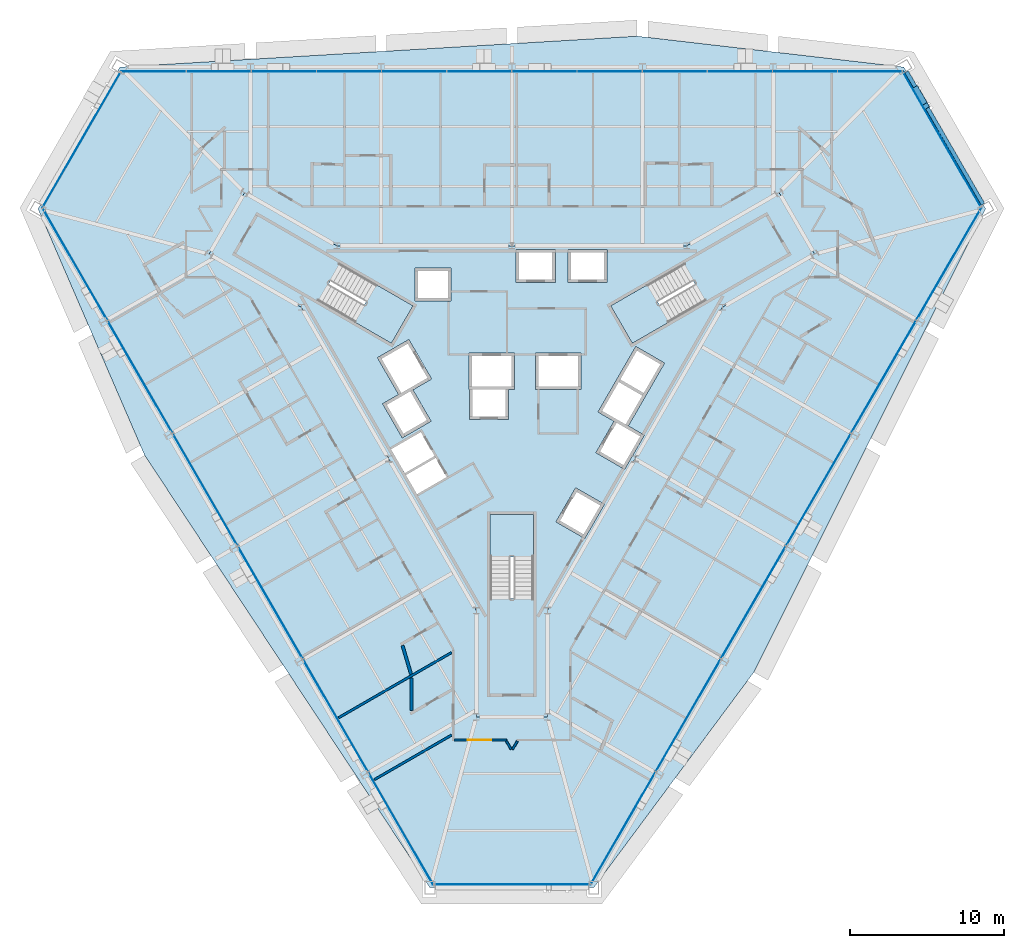
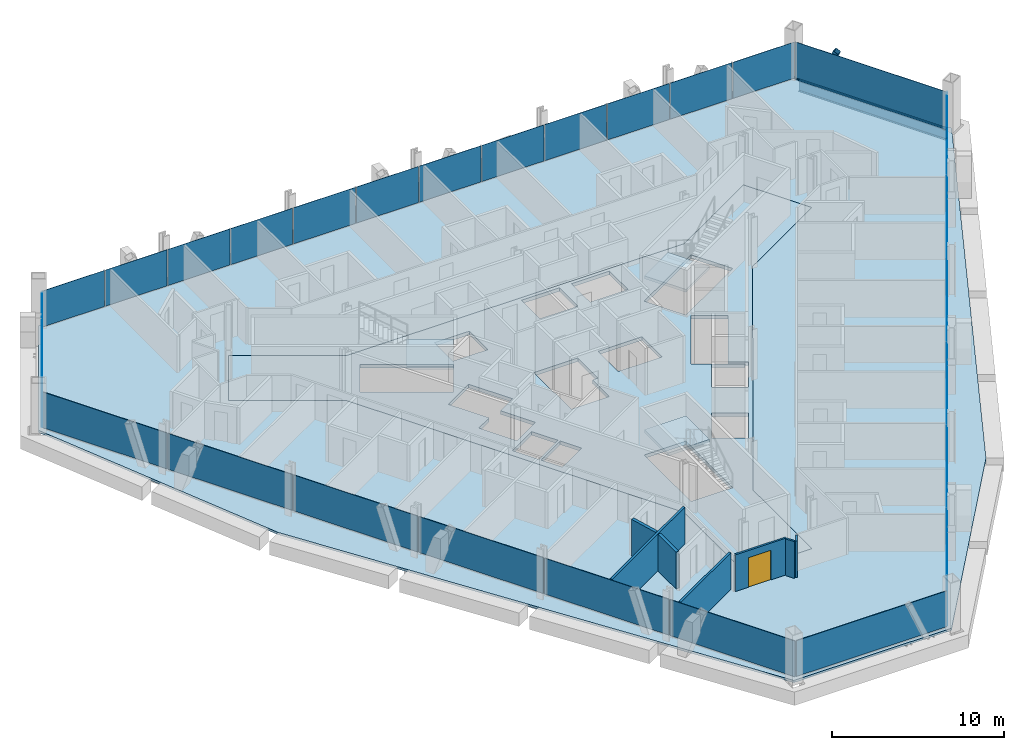
# One storey, part 9 of 17: 27 plates, 7 walls, 5 slabs, 2 members, 1 beam, 1 door, 1 opening, 9 elements without a shape of their own.
"""IFC4 building model written with IfcOpenShell, lengths in metres."""

import ifcopenshell
import ifcopenshell.guid

model = None  # the IFC model being written
_history = None  # IfcOwnerHistory: only IFC2X3 demands one
_inside = {}  # id of a spatial element -> (the spatial element, [elements in it])
_under = {}  # id of a project, library or spatial element -> (it, [spatial elements below it])
_declared = {}  # id of a project -> (the project, [libraries it declares])
_typed = {}  # id of a type object -> (the type object, [elements of that type])
_made_of = {}  # id of a material, layer set ... -> (it, [elements and type objects made of it])


def new_model(schema):
    """Start an empty IFC model of exactly this schema.

    Asked for "IFC4X3", IfcOpenShell would pick the latest addendum, in which some entities
    have other attributes; the version numbers below select the first issue.
    IFC2X3 requires an IfcOwnerHistory on every rooted entity: one is made here for all.
    """
    global model, _history
    if schema == "IFC4X3":
        model = ifcopenshell.file(schema_version=(4, 3, 0, 0))
    else:
        model = ifcopenshell.file(schema=schema)
    _inside.clear()
    _under.clear()
    _declared.clear()
    _typed.clear()
    _made_of.clear()
    _history = None
    if model.schema == "IFC2X3":
        org = make("IfcOrganization", Name="unknown")
        user = make(
            "IfcPersonAndOrganization",
            ThePerson=make("IfcPerson", FamilyName="unknown"),
            TheOrganization=org,
        )
        app = make(
            "IfcApplication",
            ApplicationDeveloper=org,
            Version="unknown",
            ApplicationFullName="unknown",
            ApplicationIdentifier="unknown",
        )
        _history = make(
            "IfcOwnerHistory",
            OwningUser=user,
            OwningApplication=app,
            ChangeAction="ADDED",
            CreationDate=0,
        )
    return model


def make(cls, **values):
    """One entity of the class cls with the attributes given. An attribute that is None is left unset."""
    return model.create_entity(
        cls, **{name: value for name, value in values.items() if value is not None}
    )


def rooted(cls, **values):
    """An entity with a GlobalId (a new one), such as an element, a storey or a relation."""
    return make(cls, GlobalId=ifcopenshell.guid.new(), OwnerHistory=_history, **values)


def si_unit(unit_type, name, prefix=None):
    """IfcSIUnit, for example si_unit("LENGTHUNIT", "METRE", prefix="MILLI")."""
    return make("IfcSIUnit", UnitType=unit_type, Prefix=prefix, Name=name)


def assignment(units):
    """IfcUnitAssignment: the units of a project."""
    return None if units is None else make("IfcUnitAssignment", Units=units)


def point(xyz):
    """IfcCartesianPoint."""
    return None if xyz is None else make("IfcCartesianPoint", Coordinates=xyz)


def direction(xyz):
    """IfcDirection."""
    return None if xyz is None else make("IfcDirection", DirectionRatios=xyz)


def frame(location, z_axis=None, x_axis=None):
    """IfcAxis2Placement3D, a coordinate frame: its origin and axes. An axis left out is left unset."""
    return make(
        "IfcAxis2Placement3D",
        Location=point(location),
        Axis=direction(z_axis),
        RefDirection=direction(x_axis),
    )


def frame_2d(location, x_axis=None):
    """IfcAxis2Placement2D, a coordinate frame in the plane: its origin and x axis."""
    return make(
        "IfcAxis2Placement2D", Location=point(location), RefDirection=direction(x_axis)
    )


def origin():
    """The frame at (0, 0, 0) with its axes left unset."""
    return frame((0.0, 0.0, 0.0))


def origin_2d():
    """The frame at (0, 0) in the plane with its x axis left unset."""
    return frame_2d((0.0, 0.0))


def place(relative_to, where):
    """IfcLocalPlacement: puts the frame where relative to a parent placement (None: the world)."""
    return make(
        "IfcLocalPlacement", PlacementRelTo=relative_to, RelativePlacement=where
    )


def context(
    kind, dimensions, precision=None, world=None, true_north=None, identifier=None
):
    """IfcGeometricRepresentationContext, for example the 3D "Model" context."""
    return make(
        "IfcGeometricRepresentationContext",
        ContextIdentifier=identifier,
        ContextType=kind,
        CoordinateSpaceDimension=dimensions,
        Precision=precision,
        WorldCoordinateSystem=world,
        TrueNorth=true_north,
    )


def subcontext(parent, identifier, kind, view, scale=None):
    """IfcGeometricRepresentationSubContext, for example "Body" below "Model"."""
    return make(
        "IfcGeometricRepresentationSubContext",
        ContextIdentifier=identifier,
        ContextType=kind,
        ParentContext=parent,
        TargetScale=scale,
        TargetView=view,
    )


def project(units=None, contexts=None):
    """IfcProject with its units and contexts."""
    return rooted(
        "IfcProject",
        Name="project",
        RepresentationContexts=contexts,
        UnitsInContext=assignment(units),
    )


def spatial(cls, under=None, at=None, **own):
    """A site, building, storey or space (cls), placed at a placement, below another one or the project."""
    s = rooted(cls, ObjectPlacement=at, **own)
    if under is not None:
        _under.setdefault(under.id(), (under, []))[1].append(s)
    return s


def polyline(points):
    """IfcPolyline through the points."""
    return make("IfcPolyline", Points=[point(p) for p in points])


def profile(cls, at=None, kind="AREA", **sizes):
    """A parametric profile (cls). Its sizes go by their IFC names, for example OverallWidth=200.0."""
    return make(cls, ProfileType=kind, Position=at, **sizes)


def rectangle(**sizes):
    """IfcRectangleProfileDef."""
    return profile("IfcRectangleProfileDef", **sizes)


def hollow_rectangle(**sizes):
    """IfcRectangleHollowProfileDef."""
    return profile("IfcRectangleHollowProfileDef", **sizes)


def i_section(**sizes):
    """IfcIShapeProfileDef."""
    return profile("IfcIShapeProfileDef", **sizes)


def outline(outer, holes=None, kind="AREA"):
    """IfcArbitraryClosedProfileDef: a profile drawn as a closed curve; with holes, ...WithVoids."""
    if holes is None:
        return make("IfcArbitraryClosedProfileDef", ProfileType=kind, OuterCurve=outer)
    return make(
        "IfcArbitraryProfileDefWithVoids",
        ProfileType=kind,
        OuterCurve=outer,
        InnerCurves=holes,
    )


def extrude(swept, where, along, depth):
    """IfcExtrudedAreaSolid: the profile swept, set in the frame where, extruded along a direction by depth."""
    return make(
        "IfcExtrudedAreaSolid",
        SweptArea=swept,
        Position=where,
        ExtrudedDirection=direction(along),
        Depth=depth,
    )


def shape(context_of_items, identifier, shape_type, items):
    """IfcShapeRepresentation: the items that make up one representation, for example the "Body"."""
    return make(
        "IfcShapeRepresentation",
        ContextOfItems=context_of_items,
        RepresentationIdentifier=identifier,
        RepresentationType=shape_type,
        Items=items,
    )


def material(Name=None, Category=None):
    """IfcMaterial."""
    return make("IfcMaterial", Name=Name, Category=Category)


def layer(
    of_material, thickness, ventilated=None, Name=None, Category=None, Priority=None
):
    """IfcMaterialLayer: one layer of a wall or slab, of a material (None: an air gap)."""
    return make(
        "IfcMaterialLayer",
        Material=of_material,
        LayerThickness=thickness,
        IsVentilated=ventilated,
        Name=Name,
        Category=Category,
        Priority=Priority,
    )


def layer_set(layers, Name=None):
    """IfcMaterialLayerSet."""
    return make("IfcMaterialLayerSet", MaterialLayers=layers, LayerSetName=Name)


def material_profile(
    of_material, cross_section, Name=None, Category=None, Priority=None
):
    """IfcMaterialProfile: a cross section and its material."""
    return make(
        "IfcMaterialProfile",
        Name=Name,
        Material=of_material,
        Profile=cross_section,
        Priority=Priority,
        Category=Category,
    )


def profile_set(profiles, Name=None, composite=None):
    """IfcMaterialProfileSet."""
    return make(
        "IfcMaterialProfileSet",
        Name=Name,
        MaterialProfiles=profiles,
        CompositeProfile=composite,
    )


def made_of(thing, what):
    """Note that an element or type object is made of a material, layer set ...; save() writes the relation."""
    if what is not None:
        _made_of.setdefault(what.id(), (what, []))[1].append(thing)
    return thing


def type_object(cls, material=None, **own):
    """A type object (cls), such as IfcWallType, which elements share."""
    return made_of(rooted(cls, **own), material)


def element(
    cls,
    number,
    at=None,
    inside=None,
    cuts=None,
    type_object=None,
    material=None,
    context=None,
    identifier="Body",
    shape_type=None,
    held_by="IfcProductDefinitionShape",
    body=None,
    shapes=None,
    **own,
):
    """One element of the class cls, such as IfcWall. Its Tag is "e" and its number.

    at: its placement. inside: the storey or other place that contains it. cuts: it is an
    opening in that element (IfcRelVoidsElement). A single representation is given by context,
    identifier, shape_type and body (its items); several are given by shapes. held_by: the class
    of the entity that holds the representations. save() writes the other relations.
    """
    e = rooted(cls, Tag="e%d" % number, ObjectPlacement=at, **own)
    if body is not None:
        shapes = [shape(context, identifier, shape_type, body)]
    if shapes is not None:
        e.Representation = make(held_by, Representations=shapes)
    if inside is not None:
        _inside.setdefault(inside.id(), (inside, []))[1].append(e)
    if cuts is not None:
        rooted(
            "IfcRelVoidsElement", RelatingBuildingElement=cuts, RelatedOpeningElement=e
        )
    if type_object is not None:
        _typed.setdefault(type_object.id(), (type_object, []))[1].append(e)
    return made_of(e, material)


def fill(opening, filler):
    """IfcRelFillsElement: the door or window that sits in an opening."""
    return rooted(
        "IfcRelFillsElement",
        RelatingOpeningElement=opening,
        RelatedBuildingElement=filler,
    )


def aggregate(whole, parts):
    """IfcRelAggregates: a whole, such as a stair, and the parts it consists of."""
    return rooted("IfcRelAggregates", RelatingObject=whole, RelatedObjects=parts)


def save(model, path):
    """Write the relations noted so far, then the file.

    IfcRelAggregates (storeys below a building ...), IfcRelContainedInSpatialStructure (elements
    in a storey), IfcRelDefinesByType, IfcRelAssociatesMaterial and IfcRelDeclares: one each for
    every whole, place, type object, material and project.
    """
    for whole, parts in _under.values():
        aggregate(whole, parts)
    for where, things in _inside.values():
        rooted(
            "IfcRelContainedInSpatialStructure",
            RelatedElements=things,
            RelatingStructure=where,
        )
    for kind, things in _typed.values():
        rooted("IfcRelDefinesByType", RelatedObjects=things, RelatingType=kind)
    for what, things in _made_of.values():
        rooted("IfcRelAssociatesMaterial", RelatedObjects=things, RelatingMaterial=what)
    for by, libraries in _declared.values():
        rooted("IfcRelDeclares", RelatingContext=by, RelatedDefinitions=libraries)
    model.write(path)


model = new_model("IFC4")

# Units and contexts
model_context = context("Model", 3, precision=1e-05, world=origin(), true_north=direction((0.0, 1.0)))
body_context = subcontext(model_context, "Body", "Model", "MODEL_VIEW")
ifc_project = project(units=[si_unit("LENGTHUNIT", "METRE"), si_unit("AREAUNIT", "SQUARE_METRE"), si_unit("VOLUMEUNIT", "CUBIC_METRE"), si_unit("PLANEANGLEUNIT", "RADIAN"), si_unit("MASSUNIT", "GRAM", prefix="KILO")], contexts=[model_context])

# Site, building, storey
site_placement = place(None, origin())
site = spatial("IfcSite", under=ifc_project, at=site_placement, CompositionType="ELEMENT")
building_placement = place(site_placement, origin())
building = spatial("IfcBuilding", under=site, at=building_placement, Name="Verrane Prism Tower", CompositionType="ELEMENT")
storey_placement = place(building_placement, frame((0.0, 0.0, 40.39990234375)))
storey = spatial("IfcBuildingStorey", under=building, at=storey_placement, Name="L07", CompositionType="ELEMENT", Elevation=40.39990234375)

# Member
ifc_material_1 = material(Name="Steel A500 Grade C", Category="steel")
ifc_material_profile_1 = material_profile(ifc_material_1, hollow_rectangle(XDim=0.355712890625, YDim=0.355712890625, WallThickness=0.0126953125, InnerFilletRadius=0.00634765625, OuterFilletRadius=0.01904296875, at=origin_2d()), Name="HSS14x14x1/2")
ifc_profile_set_1 = profile_set([ifc_material_profile_1], Name="Steel A500 Grade C")
member_type_1 = type_object("IfcMemberType", Name="Chamfer brace HSS14x14x1/2", PredefinedType="BRACE", material=ifc_profile_set_1)
member_1_placement = place(storey_placement, frame((26.18994140625, 19.349853515625, -0.2451171875), z_axis=(0.193856733958, -0.335783542661, 0.921774907001), x_axis=(0.866034321076, 0.49998455448, 0.0)))
element("IfcMember", 1, at=member_1_placement, inside=storey, type_object=member_type_1, Name="Chamfer brace NE0 L07", PredefinedType="BRACE", context=body_context, shape_type="SweptSolid", body=[
    extrude(hollow_rectangle(XDim=0.355712890625, YDim=0.355712890625, WallThickness=0.0126953125, InnerFilletRadius=0.00634765625, OuterFilletRadius=0.01904296875, at=origin_2d()), origin(), (0.0, 0.0, 1.0), 3.258056640625),
])

# Beam
ifc_material_2 = material(Name="Steel A992", Category="steel")
ifc_material_profile_2 = material_profile(ifc_material_2, i_section(OverallWidth=0.2666015625, OverallDepth=0.76708984375, WebThickness=0.014892578125, FlangeThickness=0.023681640625, FilletRadius=0.0166015625, at=origin_2d()), Name="W30x124")
ifc_profile_set_2 = profile_set([ifc_material_profile_2], Name="Steel A992")
beam_type = type_object("IfcBeamType", Name="Chamfer spandrel beam W30x124", PredefinedType="SPANDREL", material=ifc_profile_set_2)
beam_placement = place(storey_placement, frame((30.4951171875, 11.89306640625, -0.54345703125), z_axis=(-0.500011342071, 0.866018855338, 0.0), x_axis=(-0.866018855338, -0.500011342071, 0.0)))
element("IfcBeam", 2, at=beam_placement, inside=storey, type_object=beam_type, Name="Chamfer spandrel beam L07", PredefinedType="SPANDREL", context=body_context, shape_type="SweptSolid", body=[
    extrude(i_section(OverallWidth=0.2666015625, OverallDepth=0.76708984375, WebThickness=0.014892578125, FlangeThickness=0.023681640625, FilletRadius=0.0166015625, at=origin_2d()), origin(), (0.0, 0.0, 1.0), 9.900146484375),
])

# Curtain wall, member
ifc_material_3 = material(Name="Aluminium framed insulated glazing", Category="aluminium")
curtain_wall_type_1 = type_object("IfcCurtainWallType", Name="Curtain wall CW-A 8400 module", PredefinedType="NOTDEFINED", material=ifc_material_3)
curtain_wall_1_placement = place(storey_placement, origin())
curtain_wall_1 = element("IfcCurtainWall", 3, at=curtain_wall_1_placement, inside=storey, type_object=curtain_wall_type_1, Name="Glazed curtain wall north-east corner L07", PredefinedType="NOTDEFINED")
ifc_material_4 = material(Name="Aluminium alloy 6063-T6", Category="aluminium")
ifc_material_profile_3 = material_profile(ifc_material_4, rectangle(XDim=0.14990234375, YDim=0.070068359375, at=origin_2d()), Name="Transom 70x150 aluminium")
ifc_profile_set_3 = profile_set([ifc_material_profile_3], Name="Aluminium alloy 6063-T6")
member_type_2 = type_object("IfcMemberType", Name="Transom 70x150 aluminium", PredefinedType="USERDEFINED", material=ifc_profile_set_3)
member_2_placement = place(storey_placement, frame((30.361572265625, 11.726806640625, 0.03515625), z_axis=(-0.500005066806, 0.866022478443, 0.0), x_axis=(-0.866022478443, -0.500005066806, 0.0)))
member_2 = element("IfcMember", 4, at=member_2_placement, type_object=member_type_2, Name="CW06.1 transom 1", ObjectType="TRANSOM", PredefinedType="USERDEFINED", context=body_context, shape_type="SweptSolid", body=[
    extrude(rectangle(XDim=0.14990234375, YDim=0.070068359375, at=origin_2d()), origin(), (0.0, 0.0, 1.0), 10.1201171875),
])

# Slabs
ifc_material_5 = material(Name="Concrete C35/45", Category="concrete")
ifc_layer_1 = layer(ifc_material_5, 0.159912109375)
ifc_layer_set_1 = layer_set([ifc_layer_1], Name="Composite floor slab")
slab_type_1 = type_object("IfcSlabType", Name="Composite floor slab", PredefinedType="FLOOR", material=ifc_layer_set_1)
slab_1_placement = place(storey_placement, frame((0.0, 0.0, -0.159912109375)))
element("IfcSlab", 5, at=slab_1_placement, inside=storey, type_object=slab_type_1, Name="Floor slab L07", PredefinedType="FLOOR", context=body_context, shape_type="SweptSolid", body=[
    extrude(outline(polyline([(15.659423828125, -18.4169921875), (5.300048828125, -32.360107421875), (-5.300048828125, -32.360107421875), (-23.779296875, -4.35302734375), (-30.6748046875, 11.590087890625), (-25.374755859375, 20.77001953125), (8.119873046875, 22.77001953125), (25.374755859375, 20.77001953125), (30.6748046875, 11.590087890625), (15.659423828125, -18.4169921875)]), holes=[polyline([(19.60009765625, 8.659912109375), (17.300048828125, 12.639892578125), (11.330078125, 9.199951171875), (0.0, 9.199951171875), (-11.330078125, 9.199951171875), (-17.300048828125, 12.639892578125), (-19.60009765625, 8.659912109375), (-13.6298828125, 5.219970703125), (-7.969970703125, -4.60009765625), (-2.300048828125, -14.419921875), (-2.300048828125, -21.300048828125), (2.300048828125, -21.300048828125), (2.300048828125, -14.419921875), (7.969970703125, -4.60009765625), (13.6298828125, 5.219970703125), (19.60009765625, 8.659912109375)])]), origin(), (0.0, 0.0, 1.0), 0.159912109375),
])
ifc_material_6 = material(Name="Concrete C40/50", Category="concrete")
ifc_layer_2 = layer(ifc_material_6, 0.25)
ifc_layer_set_2 = layer_set([ifc_layer_2], Name="Core floor slab 250 concrete C40/50")
slab_type_2 = type_object("IfcSlabType", Name="Core floor slab 250 concrete C40/50", PredefinedType="FLOOR", material=ifc_layer_set_2)
slab_2_placement = place(storey_placement, frame((0.0, 0.0, -0.25)))
element("IfcSlab", 6, at=slab_2_placement, inside=storey, type_object=slab_type_2, Name="Core floor L07", PredefinedType="FLOOR", context=body_context, shape_type="SweptSolid", body=[
    extrude(outline(polyline([(13.6298828125, 5.219970703125), (19.60009765625, 8.659912109375), (17.300048828125, 12.639892578125), (11.330078125, 9.199951171875), (0.0, 9.199951171875), (-11.330078125, 9.199951171875), (-17.300048828125, 12.639892578125), (-19.60009765625, 8.659912109375), (-13.6298828125, 5.219970703125), (-7.969970703125, -4.60009765625), (-2.300048828125, -14.419921875), (-2.300048828125, -21.300048828125), (2.300048828125, -21.300048828125), (2.300048828125, -14.419921875), (7.969970703125, -4.60009765625), (13.6298828125, 5.219970703125)]), holes=[polyline([(1.39990234375, -8.199951171875), (1.39990234375, -13.639892578125), (-1.39990234375, -13.639892578125), (-1.39990234375, -8.199951171875), (1.39990234375, -8.199951171875)]), polyline([(-4.215087890625, -5.77099609375), (-6.14208984375, -6.883056640625), (-6.85400390625, -5.64599609375), (-4.928955078125, -4.533935546875), (-4.215087890625, -5.77099609375)]), polyline([(-5.0029296875, -4.404052734375), (-6.929931640625, -5.51708984375), (-7.819091796875, -3.97705078125), (-5.89306640625, -2.864013671875), (-5.0029296875, -4.404052734375)]), polyline([(0.1650390625, 2.25), (0.1650390625, -0.10009765625), (-0.205078125, -0.10009765625), (-0.205078125, -2.050048828125), (-2.7548828125, -2.050048828125), (-2.7548828125, -0.10009765625), (-2.784912109375, -0.10009765625), (-2.784912109375, 2.25), (0.1650390625, 2.25)]), polyline([(-12.512939453125, 5.60791015625), (-11.113037109375, 8.031982421875), (-6.40087890625, 5.31201171875), (-7.801025390625, 2.887939453125), (-12.512939453125, 5.60791015625)]), polyline([(-6.284912109375, 5.610107421875), (-6.284912109375, 7.760009765625), (-3.93505859375, 7.760009765625), (-3.93505859375, 5.610107421875), (-6.284912109375, 5.610107421875)]), polyline([(4.717041015625, -9.75), (2.85498046875, -8.675048828125), (4.1298828125, -6.466064453125), (5.991943359375, -7.541015625), (4.717041015625, -9.75)]), polyline([(8.303955078125, -3.136962890625), (5.575927734375, -1.56201171875), (8.02587890625, 2.680908203125), (9.887939453125, 1.60595703125), (7.5380859375, -2.464111328125), (8.576904296875, -3.06396484375), (7.302001953125, -5.27197265625), (5.43994140625, -4.197021484375), (6.614990234375, -2.162109375), (8.303955078125, -3.136962890625)]), polyline([(1.52490234375, -0.10009765625), (1.52490234375, 2.25), (4.47509765625, 2.25), (4.47509765625, -0.10009765625), (1.52490234375, -0.10009765625)]), polyline([(6.40087890625, 5.31201171875), (11.113037109375, 8.031982421875), (12.512939453125, 5.60791015625), (7.801025390625, 2.887939453125), (6.40087890625, 5.31201171875)]), polyline([(0.264892578125, 6.81005859375), (0.264892578125, 8.9599609375), (2.81494140625, 8.9599609375), (2.81494140625, 6.81005859375), (0.264892578125, 6.81005859375)]), polyline([(3.625, 6.81005859375), (3.625, 8.9599609375), (6.175048828125, 8.9599609375), (6.175048828125, 6.81005859375), (3.625, 6.81005859375)]), polyline([(-5.23095703125, -2.159912109375), (-7.093017578125, -3.235107421875), (-8.367919921875, -1.02587890625), (-7.3291015625, -0.426025390625), (-8.7041015625, 1.955078125), (-6.66796875, 3.1298828125), (-5.193115234375, 0.574951171875), (-6.406005859375, -0.125), (-5.23095703125, -2.159912109375)])]), origin(), (0.0, 0.0, 1.0), 0.25),
])

# Curtain wall, plates
ifc_material_7 = material(Name="Aluminium framed insulated glazing", Category="aluminium")
curtain_wall_type_2 = type_object("IfcCurtainWallType", Name="Curtain wall CW-C 4200 module", PredefinedType="NOTDEFINED", material=ifc_material_7)
curtain_wall_2_placement = place(storey_placement, origin())
curtain_wall_2 = element("IfcCurtainWall", 7, at=curtain_wall_2_placement, inside=storey, type_object=curtain_wall_type_2, Name="Glazed curtain wall north face L07", PredefinedType="NOTDEFINED")
ifc_material_8 = material(Name="Low-iron insulating glass unit", Category="glass")
ifc_layer_3 = layer(ifc_material_8, 0.02392578125)
ifc_layer_set_3 = layer_set([ifc_layer_3], Name="Glazing panel IGU 24")
plate_type_1 = type_object("IfcPlateType", Name="Glazing panel IGU 24", PredefinedType="CURTAIN_PANEL", material=ifc_layer_set_3)
plate_1_placement = place(storey_placement, frame((23.1806640625, 20.490966796875, 0.050048828125), z_axis=(0.0, 0.0, 1.0), x_axis=(-1.0, 0.0, 0.0)))
plate_1 = element("IfcPlate", 8, at=plate_1_placement, type_object=plate_type_1, Name="CW06.2 panel 1", PredefinedType="CURTAIN_PANEL", context=body_context, shape_type="SweptSolid", body=[
    extrude(rectangle(XDim=4.141845703125, YDim=0.02392578125, at=origin_2d()), origin(), (0.0, 0.0, 1.0), 2.56298828125),
])
plate_2_placement = place(storey_placement, frame((18.976318359375, 20.490966796875, 0.050048828125), z_axis=(0.0, 0.0, 1.0), x_axis=(-1.0, 0.0, 0.0)))
plate_2 = element("IfcPlate", 9, at=plate_2_placement, type_object=plate_type_1, Name="CW06.2 panel 2", PredefinedType="CURTAIN_PANEL", context=body_context, shape_type="SweptSolid", body=[
    extrude(rectangle(XDim=4.1669921875, YDim=0.02392578125, at=origin_2d()), origin(), (0.0, 0.0, 1.0), 2.56298828125),
])
plate_3_placement = place(storey_placement, frame((14.75927734375, 20.490966796875, 0.050048828125), z_axis=(0.0, 0.0, 1.0), x_axis=(-1.0, 0.0, 0.0)))
plate_3 = element("IfcPlate", 10, at=plate_3_placement, type_object=plate_type_1, Name="CW06.2 panel 3", PredefinedType="CURTAIN_PANEL", context=body_context, shape_type="SweptSolid", body=[
    extrude(rectangle(XDim=4.1669921875, YDim=0.02392578125, at=origin_2d()), origin(), (0.0, 0.0, 1.0), 2.56298828125),
])
plate_4_placement = place(storey_placement, frame((10.542236328125, 20.490966796875, 0.050048828125), z_axis=(0.0, 0.0, 1.0), x_axis=(-1.0, 0.0, 0.0)))
plate_4 = element("IfcPlate", 11, at=plate_4_placement, type_object=plate_type_1, Name="CW06.2 panel 4", PredefinedType="CURTAIN_PANEL", context=body_context, shape_type="SweptSolid", body=[
    extrude(rectangle(XDim=4.1669921875, YDim=0.02392578125, at=origin_2d()), origin(), (0.0, 0.0, 1.0), 2.56298828125),
])
plate_5_placement = place(storey_placement, frame((6.325439453125, 20.490966796875, 0.050048828125), z_axis=(0.0, 0.0, 1.0), x_axis=(-1.0, 0.0, 0.0)))
plate_5 = element("IfcPlate", 12, at=plate_5_placement, type_object=plate_type_1, Name="CW06.2 panel 5", PredefinedType="CURTAIN_PANEL", context=body_context, shape_type="SweptSolid", body=[
    extrude(rectangle(XDim=4.1669921875, YDim=0.02392578125, at=origin_2d()), origin(), (0.0, 0.0, 1.0), 2.56298828125),
])
plate_6_placement = place(storey_placement, frame((2.1083984375, 20.490966796875, 0.050048828125), z_axis=(0.0, 0.0, 1.0), x_axis=(-1.0, 0.0, 0.0)))
plate_6 = element("IfcPlate", 13, at=plate_6_placement, type_object=plate_type_1, Name="CW06.2 panel 6", PredefinedType="CURTAIN_PANEL", context=body_context, shape_type="SweptSolid", body=[
    extrude(rectangle(XDim=4.1669921875, YDim=0.02392578125, at=origin_2d()), origin(), (0.0, 0.0, 1.0), 2.56298828125),
])
plate_7_placement = place(storey_placement, frame((-2.1083984375, 20.490966796875, 0.050048828125), z_axis=(0.0, 0.0, 1.0), x_axis=(-1.0, 0.0, 0.0)))
plate_7 = element("IfcPlate", 14, at=plate_7_placement, type_object=plate_type_1, Name="CW06.2 panel 7", PredefinedType="CURTAIN_PANEL", context=body_context, shape_type="SweptSolid", body=[
    extrude(rectangle(XDim=4.1669921875, YDim=0.02392578125, at=origin_2d()), origin(), (0.0, 0.0, 1.0), 2.56298828125),
])
plate_8_placement = place(storey_placement, frame((-6.325439453125, 20.490966796875, 0.050048828125), z_axis=(0.0, 0.0, 1.0), x_axis=(-1.0, 0.0, 0.0)))
plate_8 = element("IfcPlate", 15, at=plate_8_placement, type_object=plate_type_1, Name="CW06.2 panel 8", PredefinedType="CURTAIN_PANEL", context=body_context, shape_type="SweptSolid", body=[
    extrude(rectangle(XDim=4.1669921875, YDim=0.02392578125, at=origin_2d()), origin(), (0.0, 0.0, 1.0), 2.56298828125),
])
plate_9_placement = place(storey_placement, frame((-10.542236328125, 20.490966796875, 0.050048828125), z_axis=(0.0, 0.0, 1.0), x_axis=(-1.0, 0.0, 0.0)))
plate_9 = element("IfcPlate", 16, at=plate_9_placement, type_object=plate_type_1, Name="CW06.2 panel 9", PredefinedType="CURTAIN_PANEL", context=body_context, shape_type="SweptSolid", body=[
    extrude(rectangle(XDim=4.1669921875, YDim=0.02392578125, at=origin_2d()), origin(), (0.0, 0.0, 1.0), 2.56298828125),
])
plate_10_placement = place(storey_placement, frame((-14.75927734375, 20.490966796875, 0.050048828125), z_axis=(0.0, 0.0, 1.0), x_axis=(-1.0, 0.0, 0.0)))
plate_10 = element("IfcPlate", 17, at=plate_10_placement, type_object=plate_type_1, Name="CW06.2 panel 10", PredefinedType="CURTAIN_PANEL", context=body_context, shape_type="SweptSolid", body=[
    extrude(rectangle(XDim=4.1669921875, YDim=0.02392578125, at=origin_2d()), origin(), (0.0, 0.0, 1.0), 2.56298828125),
])
plate_11_placement = place(storey_placement, frame((-18.976318359375, 20.490966796875, 0.050048828125), z_axis=(0.0, 0.0, 1.0), x_axis=(-1.0, 0.0, 0.0)))
plate_11 = element("IfcPlate", 18, at=plate_11_placement, type_object=plate_type_1, Name="CW06.2 panel 11", PredefinedType="CURTAIN_PANEL", context=body_context, shape_type="SweptSolid", body=[
    extrude(rectangle(XDim=4.1669921875, YDim=0.02392578125, at=origin_2d()), origin(), (0.0, 0.0, 1.0), 2.56298828125),
])
plate_12_placement = place(storey_placement, frame((-23.20556640625, 20.490966796875, 0.050048828125), z_axis=(0.0, 0.0, 1.0), x_axis=(-1.0, 0.0, 0.0)))
plate_12 = element("IfcPlate", 19, at=plate_12_placement, type_object=plate_type_1, Name="CW06.2 panel 12", PredefinedType="CURTAIN_PANEL", context=body_context, shape_type="SweptSolid", body=[
    extrude(rectangle(XDim=4.19189453125, YDim=0.02392578125, at=origin_2d()), origin(), (0.0, 0.0, 1.0), 2.56298828125),
])
aggregate(curtain_wall_2, [plate_1, plate_2, plate_3, plate_4, plate_5, plate_6, plate_7, plate_8, plate_9, plate_10, plate_11, plate_12])

# Plate
ifc_material_9 = material(Name="Low-iron insulating glass unit", Category="glass")
ifc_layer_4 = layer(ifc_material_9, 0.031982421875)
ifc_layer_set_4 = layer_set([ifc_layer_4], Name="Glazing panel IGU 32")
plate_type_2 = type_object("IfcPlateType", Name="Glazing panel IGU 32", PredefinedType="CURTAIN_PANEL", material=ifc_layer_set_4)
plate_13_placement = place(storey_placement, frame((27.83154296875, 16.10888671875, 0.070068359375), z_axis=(0.0, 0.0, 1.0), x_axis=(-0.499996840933, 0.866027227665, 0.0)))
plate_13 = element("IfcPlate", 20, at=plate_13_placement, type_object=plate_type_2, Name="CW06.1 panel 1", PredefinedType="CURTAIN_PANEL", context=body_context, shape_type="SweptSolid", body=[
    extrude(rectangle(XDim=10.119873046875, YDim=0.031982421875, at=origin_2d()), origin(), (0.0, 0.0, 1.0), 2.54296875),
])

aggregate(curtain_wall_1, [member_2, plate_13])

# Curtain wall, plate
curtain_wall_3_placement = place(storey_placement, origin())
curtain_wall_3 = element("IfcCurtainWall", 21, at=curtain_wall_3_placement, inside=storey, type_object=curtain_wall_type_1, Name="Glazed curtain wall north-west corner L07", PredefinedType="NOTDEFINED")
plate_14_placement = place(storey_placement, frame((-27.866455078125, 16.04833984375, 0.070068359375), z_axis=(0.0, 0.0, 1.0), x_axis=(-0.499996840933, -0.866027227665, 0.0)))
plate_14 = element("IfcPlate", 22, at=plate_14_placement, type_object=plate_type_2, Name="CW06.3 panel 1", PredefinedType="CURTAIN_PANEL", context=body_context, shape_type="SweptSolid", body=[
    extrude(rectangle(XDim=10.119873046875, YDim=0.031982421875, at=origin_2d()), origin(), (0.0, 0.0, 1.0), 2.54296875),
])
aggregate(curtain_wall_3, [plate_14])

# Curtain wall, plates
curtain_wall_4_placement = place(storey_placement, origin())
curtain_wall_4 = element("IfcCurtainWall", 23, at=curtain_wall_4_placement, inside=storey, type_object=curtain_wall_type_1, Name="Glazed curtain wall south-west face L07", PredefinedType="NOTDEFINED")
plate_15_placement = place(storey_placement, frame((-28.279296875, 7.999267578125, 0.070068359375), z_axis=(0.0, 0.0, 1.0), x_axis=(0.500000485297, -0.866025123598, 0.0)))
plate_15 = element("IfcPlate", 24, at=plate_15_placement, type_object=plate_type_2, Name="CW06.4 panel 1", PredefinedType="CURTAIN_PANEL", context=body_context, shape_type="SweptSolid", body=[
    extrude(rectangle(XDim=8.328857421875, YDim=0.031982421875, at=origin_2d()), origin(), (0.0, 0.0, 1.0), 2.54296875),
])
plate_16_placement = place(storey_placement, frame((-24.071044921875, 0.71044921875, 0.070068359375), z_axis=(0.0, 0.0, 1.0), x_axis=(0.500000485297, -0.866025123598, 0.0)))
plate_16 = element("IfcPlate", 25, at=plate_16_placement, type_object=plate_type_2, Name="CW06.4 panel 2", PredefinedType="CURTAIN_PANEL", context=body_context, shape_type="SweptSolid", body=[
    extrude(rectangle(XDim=8.36376953125, YDim=0.031982421875, at=origin_2d()), origin(), (0.0, 0.0, 1.0), 2.54296875),
])
plate_17_placement = place(storey_placement, frame((-19.854248046875, -6.593505859375, 0.070068359375), z_axis=(0.0, 0.0, 1.0), x_axis=(0.500000485297, -0.866025123598, 0.0)))
plate_17 = element("IfcPlate", 26, at=plate_17_placement, type_object=plate_type_2, Name="CW06.4 panel 3", PredefinedType="CURTAIN_PANEL", context=body_context, shape_type="SweptSolid", body=[
    extrude(rectangle(XDim=8.36376953125, YDim=0.031982421875, at=origin_2d()), origin(), (0.0, 0.0, 1.0), 2.54296875),
])
plate_18_placement = place(storey_placement, frame((-15.63720703125, -13.8974609375, 0.070068359375), z_axis=(0.0, 0.0, 1.0), x_axis=(0.500000485297, -0.866025123598, 0.0)))
plate_18 = element("IfcPlate", 27, at=plate_18_placement, type_object=plate_type_2, Name="CW06.4 panel 4", PredefinedType="CURTAIN_PANEL", context=body_context, shape_type="SweptSolid", body=[
    extrude(rectangle(XDim=8.36376953125, YDim=0.031982421875, at=origin_2d()), origin(), (0.0, 0.0, 1.0), 2.54296875),
])
plate_19_placement = place(storey_placement, frame((-11.42041015625, -21.201416015625, 0.070068359375), z_axis=(0.0, 0.0, 1.0), x_axis=(0.500000485297, -0.866025123598, 0.0)))
plate_19 = element("IfcPlate", 28, at=plate_19_placement, type_object=plate_type_2, Name="CW06.4 panel 5", PredefinedType="CURTAIN_PANEL", context=body_context, shape_type="SweptSolid", body=[
    extrude(rectangle(XDim=8.36376953125, YDim=0.031982421875, at=origin_2d()), origin(), (0.0, 0.0, 1.0), 2.54296875),
])
plate_20_placement = place(storey_placement, frame((-7.194580078125, -28.5205078125, 0.070068359375), z_axis=(0.0, 0.0, 1.0), x_axis=(0.500000485297, -0.866025123598, 0.0)))
plate_20 = element("IfcPlate", 29, at=plate_20_placement, type_object=plate_type_2, Name="CW06.4 panel 6", PredefinedType="CURTAIN_PANEL", context=body_context, shape_type="SweptSolid", body=[
    extrude(rectangle(XDim=8.39892578125, YDim=0.031982421875, at=origin_2d()), origin(), (0.0, 0.0, 1.0), 2.54296875),
])
aggregate(curtain_wall_4, [plate_15, plate_16, plate_17, plate_18, plate_19, plate_20])

# Curtain wall, plate
curtain_wall_5_placement = place(storey_placement, origin())
curtain_wall_5 = element("IfcCurtainWall", 30, at=curtain_wall_5_placement, inside=storey, type_object=curtain_wall_type_1, Name="Glazed curtain wall south corner L07", PredefinedType="NOTDEFINED")
plate_21_placement = place(storey_placement, frame((0.034912109375, -32.1572265625, 0.070068359375), z_axis=(0.0, 0.0, 1.0), x_axis=(1.0, 0.0, 0.0)))
plate_21 = element("IfcPlate", 31, at=plate_21_placement, type_object=plate_type_2, Name="CW06.5 panel 1", PredefinedType="CURTAIN_PANEL", context=body_context, shape_type="SweptSolid", body=[
    extrude(rectangle(XDim=10.119873046875, YDim=0.031982421875, at=origin_2d()), origin(), (0.0, 0.0, 1.0), 2.54296875),
])
aggregate(curtain_wall_5, [plate_21])

# Curtain wall, plates
curtain_wall_6_placement = place(storey_placement, origin())
curtain_wall_6 = element("IfcCurtainWall", 32, at=curtain_wall_6_placement, inside=storey, type_object=curtain_wall_type_1, Name="Glazed curtain wall south-east face L07", PredefinedType="NOTDEFINED")
plate_22_placement = place(storey_placement, frame((7.212158203125, -28.490234375, 0.070068359375), z_axis=(0.0, 0.0, 1.0), x_axis=(0.500000485297, 0.866025123598, 0.0)))
plate_22 = element("IfcPlate", 33, at=plate_22_placement, type_object=plate_type_2, Name="CW06.6 panel 1", PredefinedType="CURTAIN_PANEL", context=body_context, shape_type="SweptSolid", body=[
    extrude(rectangle(XDim=8.328857421875, YDim=0.031982421875, at=origin_2d()), origin(), (0.0, 0.0, 1.0), 2.54296875),
])
plate_23_placement = place(storey_placement, frame((11.42041015625, -21.201416015625, 0.070068359375), z_axis=(0.0, 0.0, 1.0), x_axis=(0.500000485297, 0.866025123598, 0.0)))
plate_23 = element("IfcPlate", 34, at=plate_23_placement, type_object=plate_type_2, Name="CW06.6 panel 2", PredefinedType="CURTAIN_PANEL", context=body_context, shape_type="SweptSolid", body=[
    extrude(rectangle(XDim=8.36376953125, YDim=0.031982421875, at=origin_2d()), origin(), (0.0, 0.0, 1.0), 2.54296875),
])
plate_24_placement = place(storey_placement, frame((15.63720703125, -13.8974609375, 0.070068359375), z_axis=(0.0, 0.0, 1.0), x_axis=(0.500000485297, 0.866025123598, 0.0)))
plate_24 = element("IfcPlate", 35, at=plate_24_placement, type_object=plate_type_2, Name="CW06.6 panel 3", PredefinedType="CURTAIN_PANEL", context=body_context, shape_type="SweptSolid", body=[
    extrude(rectangle(XDim=8.36376953125, YDim=0.031982421875, at=origin_2d()), origin(), (0.0, 0.0, 1.0), 2.54296875),
])
plate_25_placement = place(storey_placement, frame((19.854248046875, -6.593505859375, 0.070068359375), z_axis=(0.0, 0.0, 1.0), x_axis=(0.500000485297, 0.866025123598, 0.0)))
plate_25 = element("IfcPlate", 36, at=plate_25_placement, type_object=plate_type_2, Name="CW06.6 panel 4", PredefinedType="CURTAIN_PANEL", context=body_context, shape_type="SweptSolid", body=[
    extrude(rectangle(XDim=8.36376953125, YDim=0.031982421875, at=origin_2d()), origin(), (0.0, 0.0, 1.0), 2.54296875),
])
plate_26_placement = place(storey_placement, frame((24.071044921875, 0.71044921875, 0.070068359375), z_axis=(0.0, 0.0, 1.0), x_axis=(0.500000485297, 0.866025123598, 0.0)))
plate_26 = element("IfcPlate", 37, at=plate_26_placement, type_object=plate_type_2, Name="CW06.6 panel 5", PredefinedType="CURTAIN_PANEL", context=body_context, shape_type="SweptSolid", body=[
    extrude(rectangle(XDim=8.36376953125, YDim=0.031982421875, at=origin_2d()), origin(), (0.0, 0.0, 1.0), 2.54296875),
])
plate_27_placement = place(storey_placement, frame((28.296875, 8.029541015625, 0.070068359375), z_axis=(0.0, 0.0, 1.0), x_axis=(0.500000485297, 0.866025123598, 0.0)))
plate_27 = element("IfcPlate", 38, at=plate_27_placement, type_object=plate_type_2, Name="CW06.6 panel 6", PredefinedType="CURTAIN_PANEL", context=body_context, shape_type="SweptSolid", body=[
    extrude(rectangle(XDim=8.39892578125, YDim=0.031982421875, at=origin_2d()), origin(), (0.0, 0.0, 1.0), 2.54296875),
])
aggregate(curtain_wall_6, [plate_22, plate_23, plate_24, plate_25, plate_26, plate_27])

# Stair, slab
ifc_material_10 = material(Name="Concrete C40/50", Category="concrete")
stair_type = type_object("IfcStairType", Name="Exit stair 1300 dog-leg precast concrete C40/50", PredefinedType="HALF_TURN_STAIR", material=ifc_material_10)
stair_1_placement = place(storey_placement, origin())
stair_1 = element("IfcStair", 39, at=stair_1_placement, inside=storey, type_object=stair_type, Name="Stair 1 L07", PredefinedType="HALF_TURN_STAIR")
ifc_material_11 = material(Name="Concrete C40/50", Category="concrete")
ifc_layer_5 = layer(ifc_material_11, 0.199951171875)
ifc_layer_set_5 = layer_set([ifc_layer_5], Name="Stair landing 200 precast concrete C40/50")
slab_type_3 = type_object("IfcSlabType", Name="Stair landing 200 precast concrete C40/50", PredefinedType="LANDING", material=ifc_layer_set_5)
slab_3_placement = place(storey_placement, frame((0.0, 0.0, 1.60009765625)))
slab_3 = element("IfcSlab", 40, at=slab_3_placement, type_object=slab_type_3, Name="Stair 1 landing 1", PredefinedType="LANDING", context=body_context, shape_type="SweptSolid", body=[
    extrude(outline(polyline([(8.791748046875, 6.6923828125), (6.4013671875, 5.3125), (7.801513671875, 2.887451171875), (10.191650390625, 4.267578125), (8.791748046875, 6.6923828125)])), origin(), (0.0, 0.0, 1.0), 0.199951171875),
])
aggregate(stair_1, [slab_3])

stair_2_placement = place(storey_placement, origin())
stair_2 = element("IfcStair", 41, at=stair_2_placement, inside=storey, type_object=stair_type, Name="Stair 2 L07", PredefinedType="HALF_TURN_STAIR")
slab_4_placement = place(storey_placement, frame((0.0, 0.0, 1.60009765625)))
slab_4 = element("IfcSlab", 42, at=slab_4_placement, type_object=slab_type_3, Name="Stair 2 landing 1", PredefinedType="LANDING", context=body_context, shape_type="SweptSolid", body=[
    extrude(outline(polyline([(-10.191650390625, 4.267578125), (-7.801513671875, 2.887451171875), (-6.4013671875, 5.3125), (-8.791748046875, 6.6923828125), (-10.191650390625, 4.267578125)])), origin(), (0.0, 0.0, 1.0), 0.199951171875),
])
aggregate(stair_2, [slab_4])

stair_3_placement = place(storey_placement, origin())
stair_3 = element("IfcStair", 43, at=stair_3_placement, inside=storey, type_object=stair_type, Name="Stair 3 L07", PredefinedType="HALF_TURN_STAIR")
slab_5_placement = place(storey_placement, frame((0.0, 0.0, 1.60009765625)))
slab_5 = element("IfcSlab", 44, at=slab_5_placement, type_object=slab_type_3, Name="Stair 3 landing 1", PredefinedType="LANDING", context=body_context, shape_type="SweptSolid", body=[
    extrude(outline(polyline([(1.39990234375, -10.9599609375), (1.39990234375, -8.199951171875), (-1.39990234375, -8.199951171875), (-1.39990234375, -10.9599609375), (1.39990234375, -10.9599609375)])), origin(), (0.0, 0.0, 1.0), 0.199951171875),
])
aggregate(stair_3, [slab_5])

# Wall, opening, door
ifc_material_12 = material(Name="Gypsum board partition", Category="other")
ifc_layer_6 = layer(ifc_material_12, 0.125)
ifc_layer_set_6 = layer_set([ifc_layer_6], Name="PW-125 corridor wall 1 h")
wall_type_1 = type_object("IfcWallType", Name="PW-125 corridor wall 1 h", PredefinedType="PARTITIONING", material=ifc_layer_set_6)
wall_1_placement = place(storey_placement, frame((-0.33251953125, -22.797119140625, 0.0), z_axis=(0.0, 0.0, 1.0), x_axis=(-1.0, 0.0, 0.0)))
wall_1 = element("IfcWall", 45, at=wall_1_placement, inside=storey, type_object=wall_type_1, Name="Corridor wall 049", PredefinedType="PARTITIONING", context=body_context, shape_type="SweptSolid", body=[
    extrude(rectangle(XDim=3.3994140625, YDim=0.125, at=frame_2d((1.69970703125, 0.0))), origin(), (0.0, 0.0, 1.0), 2.613037109375),
])
opening_placement = place(wall_1_placement, frame((1.014404296875, 0.0, 0.0)))
opening = element("IfcOpeningElement", 46, at=opening_placement, cuts=wall_1, Name="Opening D06033", PredefinedType="OPENING", context=body_context, shape_type="SweptSolid", body=[
    extrude(rectangle(XDim=1.5, YDim=2.10009765625, at=frame_2d((0.75, 1.050048828125))), frame((0.0, 0.072509765625, 0.0), z_axis=(0.0, -1.0, 0.0), x_axis=(1.0, 0.0, 0.0)), (0.0, 0.0, 1.0), 0.14501953125),
])
ifc_material_13 = material(Name="Timber veneered door leaf", Category="wood")
door_type = type_object("IfcDoorType", Name="DR-1500x2100 FD20 double leaf public", OperationType="NOTDEFINED", PredefinedType="DOOR", material=ifc_material_13)
door_placement = place(opening_placement, origin())
door = element("IfcDoor", 47, at=door_placement, inside=storey, type_object=door_type, Name="Boardroom door", OperationType="DOUBLE_DOOR_SINGLE_SWING", OverallHeight=2.10009765625, OverallWidth=1.5, PredefinedType="DOOR", context=body_context, shape_type="SweptSolid", body=[
    extrude(rectangle(XDim=1.5, YDim=2.10009765625, at=frame_2d((0.75, 1.050048828125))), frame((0.0, 0.02490234375, 0.0), z_axis=(0.0, -1.0, 0.0), x_axis=(1.0, 0.0, 0.0)), (0.0, 0.0, 1.0), 0.050048828125),
])
fill(opening, door)

# Walls
wall_2_placement = place(storey_placement, frame((-0.3525390625, -22.87060546875, 0.0), z_axis=(0.0, 0.0, 1.0), x_axis=(0.499863517517, -0.866104187645, 0.0)))
element("IfcWall", 48, at=wall_2_placement, inside=storey, type_object=wall_type_1, Name="Corridor wall 052", PredefinedType="PARTITIONING", context=body_context, shape_type="SweptSolid", body=[
    extrude(rectangle(XDim=0.599365234375, YDim=0.125, at=frame_2d((0.2998046875, 0.0))), origin(), (0.0, 0.0, 1.0), 2.613037109375),
])
wall_3_placement = place(storey_placement, frame((0.04296875, -23.406982421875, 0.0), z_axis=(0.0, 0.0, 1.0), x_axis=(0.499870333213, 0.866100253997, 0.0)))
element("IfcWall", 49, at=wall_3_placement, inside=storey, type_object=wall_type_1, Name="Corridor wall 053", PredefinedType="PARTITIONING", context=body_context, shape_type="SweptSolid", body=[
    extrude(rectangle(XDim=0.619384765625, YDim=0.125, at=frame_2d((0.3095703125, 0.0))), origin(), (0.0, 0.0, 1.0), 2.613037109375),
])
ifc_material_14 = material(Name="Gypsum board partition", Category="other")
ifc_layer_7 = layer(ifc_material_14, 0.14990234375)
ifc_layer_set_7 = layer_set([ifc_layer_7], Name="PW-150 demising wall 1 h")
wall_type_2 = type_object("IfcWallType", Name="PW-150 demising wall 1 h", PredefinedType="PARTITIONING", material=ifc_layer_set_7)
wall_4_placement = place(storey_placement, frame((-11.21875, -21.35791015625, 0.0), z_axis=(0.0, 0.0, 1.0), x_axis=(0.866084603656, 0.499897448793, 0.0)))
element("IfcWall", 50, at=wall_4_placement, inside=storey, type_object=wall_type_2, Name="Demising wall 036", PredefinedType="PARTITIONING", context=body_context, shape_type="SweptSolid", body=[
    extrude(rectangle(XDim=8.453857421875, YDim=0.14990234375, at=frame_2d((4.22705078125, 0.0))), origin(), (0.0, 0.0, 1.0), 2.613037109375),
])
wall_5_placement = place(storey_placement, frame((-8.904541015625, -25.365966796875, 0.0), z_axis=(0.0, 0.0, 1.0), x_axis=(0.866025977343, 0.499999006567, 0.0)))
element("IfcWall", 51, at=wall_5_placement, inside=storey, type_object=wall_type_2, Name="Demising wall 041", PredefinedType="PARTITIONING", context=body_context, shape_type="SweptSolid", body=[
    extrude(rectangle(XDim=5.7822265625, YDim=0.14990234375, at=frame_2d((2.89111328125, 0.0))), origin(), (0.0, 0.0, 1.0), 2.613037109375),
])
ifc_material_15 = material(Name="Gypsum board partition", Category="other")
ifc_layer_8 = layer(ifc_material_15, 0.199951171875)
ifc_layer_set_8 = layer_set([ifc_layer_8], Name="PW-200 plumbing wall")
wall_type_3 = type_object("IfcWallType", Name="PW-200 plumbing wall", PredefinedType="PARTITIONING", material=ifc_layer_set_8)
wall_6_placement = place(storey_placement, frame((-7.077880859375, -16.677978515625, 0.0), z_axis=(0.0, 0.0, 1.0), x_axis=(0.284907685531, -0.958554959679, 0.0)))
element("IfcWall", 52, at=wall_6_placement, inside=storey, type_object=wall_type_3, Name="Plumbing wall 043", PredefinedType="PARTITIONING", context=body_context, shape_type="SweptSolid", body=[
    extrude(rectangle(XDim=1.9375, YDim=0.199951171875, at=frame_2d((0.96875, 0.0))), origin(), (0.0, 0.0, 1.0), 2.613037109375),
])
wall_7_placement = place(storey_placement, frame((-6.4970703125, -20.886962890625, 0.0), z_axis=(0.0, 0.0, 1.0), x_axis=(0.0, 1.0, 0.0)))
element("IfcWall", 53, at=wall_7_placement, inside=storey, type_object=wall_type_3, Name="Plumbing wall 045", PredefinedType="PARTITIONING", context=body_context, shape_type="SweptSolid", body=[
    extrude(rectangle(XDim=2.110595703125, YDim=0.199951171875, at=frame_2d((1.05517578125, 0.0))), origin(), (0.0, 0.0, 1.0), 2.613037109375),
])

save(model, "model.ifc")
